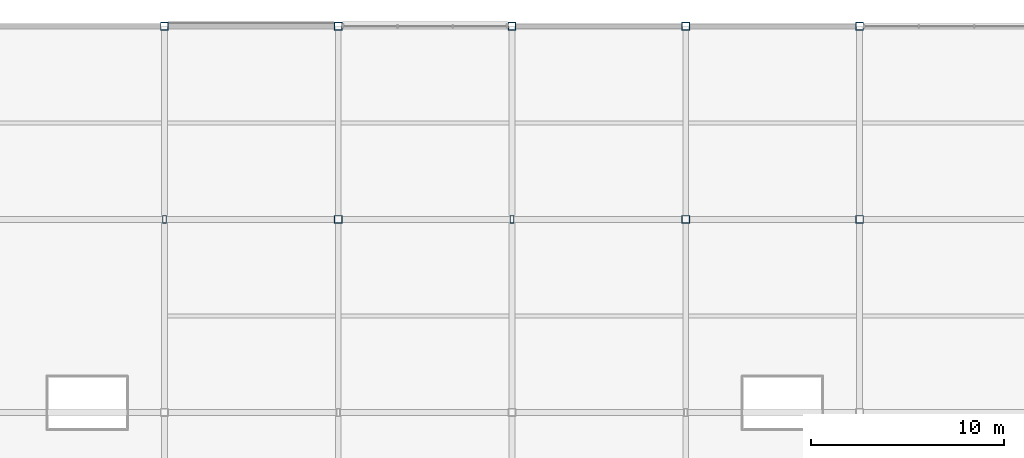
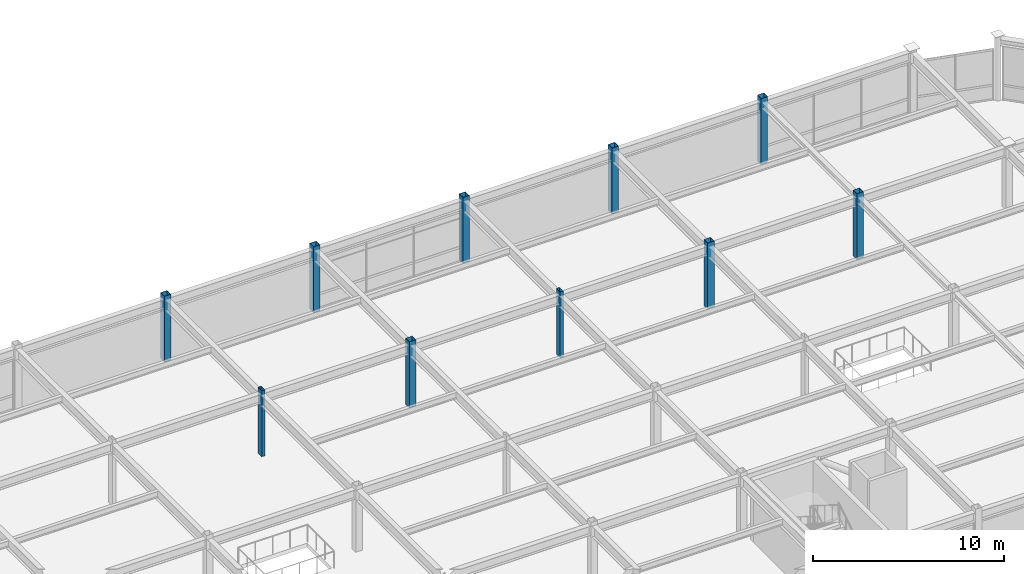
# One storey, part 8 of 70: 10 columns.
"""IFC4 building model written with IfcOpenShell, lengths in metres."""

from ifc_helpers import new_model, si_unit, direction, frame, origin, origin_2d, place, context, subcontext, project, spatial, hollow_rectangle, extrude, material, material_profile, profile_set, type_object, element, save


model = new_model("IFC4")

# Units and contexts
model_context = context("Model", 3, precision=1e-05, world=origin(), true_north=direction((0.0, 1.0)))
body_context = subcontext(model_context, "Body", "Model", "MODEL_VIEW")
ifc_project = project(units=[si_unit("LENGTHUNIT", "METRE"), si_unit("AREAUNIT", "SQUARE_METRE"), si_unit("VOLUMEUNIT", "CUBIC_METRE"), si_unit("PLANEANGLEUNIT", "RADIAN"), si_unit("MASSUNIT", "GRAM", prefix="KILO")], contexts=[model_context])

# Site, building, storey
site_placement = place(None, origin())
site = spatial("IfcSite", under=ifc_project, at=site_placement, CompositionType="ELEMENT")
building_placement = place(site_placement, origin())
building = spatial("IfcBuilding", under=site, at=building_placement, Name="Suzunagisa Mobility Hub", CompositionType="ELEMENT")
storey_placement = place(building_placement, frame((0.0, 0.0, 13.5)))
storey = spatial("IfcBuildingStorey", under=building, at=storey_placement, Name="L03", CompositionType="ELEMENT", Elevation=13.5)

# Columns
ifc_material = material(Name="Steel SN490B", Category="steel")
ifc_material_profile_1 = material_profile(ifc_material, hollow_rectangle(XDim=0.199951171875, YDim=0.39990234375, WallThickness=0.011962890625, at=origin_2d()), Name="RHS-400x200x12")
ifc_profile_set_1 = profile_set([ifc_material_profile_1], Name="Steel SN490B")
column_type_1 = type_object("IfcColumnType", Name="Steel Column CL-03 RHS-400x200x12", PredefinedType="COLUMN", material=ifc_profile_set_1)
for number, where, z_axis, x_axis, name in (
    (1, (72.0, 108.0, 0.0), (0.0, 0.0, 1.0), (1.0, 0.0, 0.0), "L03 Column 157"),
    (2, (90.0, 108.0, 0.0), (0.0, 0.0, 1.0), (1.0, 0.0, 0.0), "L03 Column 189"),
):
    element("IfcColumn", number, at=place(storey_placement, frame(where, z_axis=z_axis, x_axis=x_axis)), inside=storey, type_object=column_type_1, Name=name, PredefinedType="COLUMN", context=body_context, shape_type="SweptSolid", body=[
        extrude(hollow_rectangle(XDim=0.199951171875, YDim=0.39990234375, WallThickness=0.011962890625, at=origin_2d()), origin(), (0.0, 0.0, 1.0), 4.199951171875),
    ])
ifc_material_profile_2 = material_profile(ifc_material, hollow_rectangle(XDim=0.39990234375, YDim=0.39990234375, WallThickness=0.01904296875, at=origin_2d()), Name="BCR-400x400x19")
ifc_profile_set_2 = profile_set([ifc_material_profile_2], Name="Steel SN490B")
column_type_2 = type_object("IfcColumnType", Name="Steel Column CL-13 BCR-400x400x19", PredefinedType="COLUMN", material=ifc_profile_set_2)
for number, where, z_axis, x_axis, name in (
    (3, (72.0, 118.0, 0.0), (0.0, 0.0, 1.0), (1.0, 0.0, 0.0), "L03 Column 158"),
    (4, (81.0, 108.0, 0.0), (0.0, 0.0, 1.0), (1.0, 0.0, 0.0), "L03 Column 174"),
    (5, (81.0, 118.0, 0.0), (0.0, 0.0, 1.0), (1.0, 0.0, 0.0), "L03 Column 175"),
    (6, (90.0, 118.0, 0.0), (0.0, 0.0, 1.0), (1.0, 0.0, 0.0), "L03 Column 190"),
    (7, (99.0, 108.0, 0.0), (0.0, 0.0, 1.0), (1.0, 0.0, 0.0), "L03 Column 198"),
    (8, (99.0, 118.0, 0.0), (0.0, 0.0, 1.0), (1.0, 0.0, 0.0), "L03 Column 199"),
    (9, (108.0, 108.0, 0.0), (0.0, 0.0, 1.0), (1.0, 0.0, 0.0), "L03 Column 207"),
    (10, (108.0, 118.0, 0.0), (0.0, 0.0, 1.0), (1.0, 0.0, 0.0), "L03 Column 208"),
):
    element("IfcColumn", number, at=place(storey_placement, frame(where, z_axis=z_axis, x_axis=x_axis)), inside=storey, type_object=column_type_2, Name=name, PredefinedType="COLUMN", context=body_context, shape_type="SweptSolid", body=[
        extrude(hollow_rectangle(XDim=0.39990234375, YDim=0.39990234375, WallThickness=0.01904296875, at=origin_2d()), origin(), (0.0, 0.0, 1.0), 4.199951171875),
    ])

save(model, "model.ifc")
